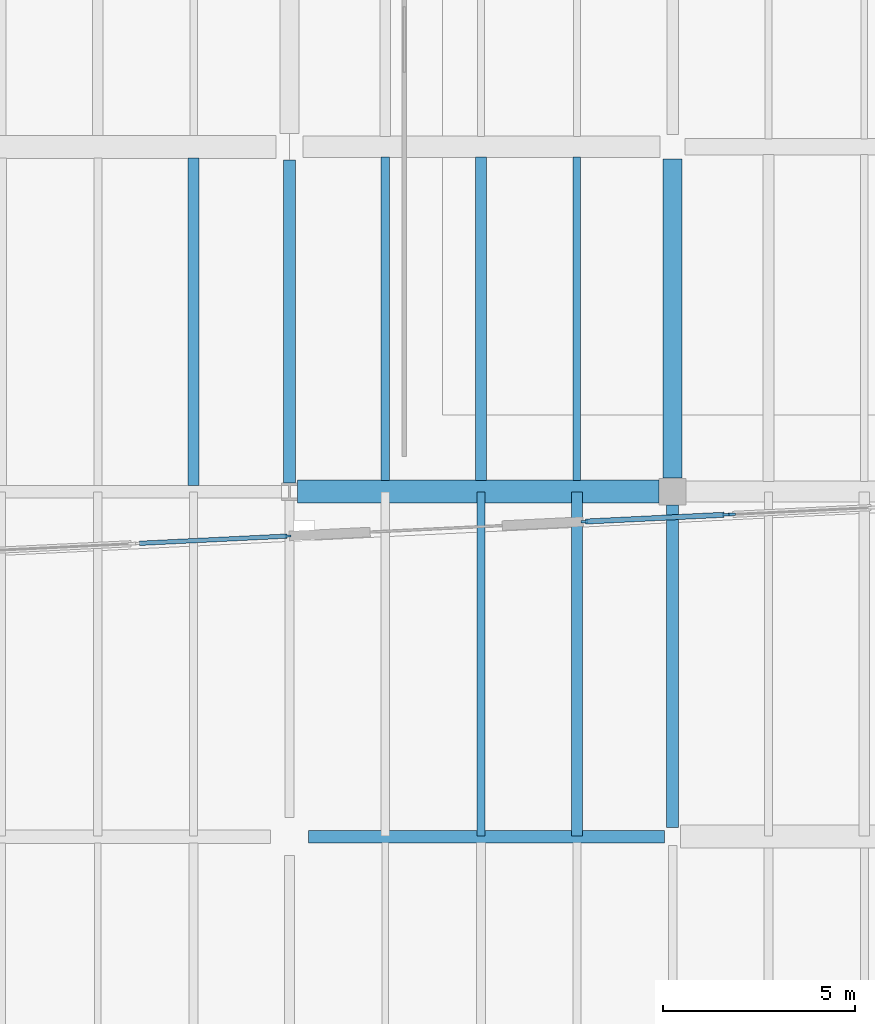
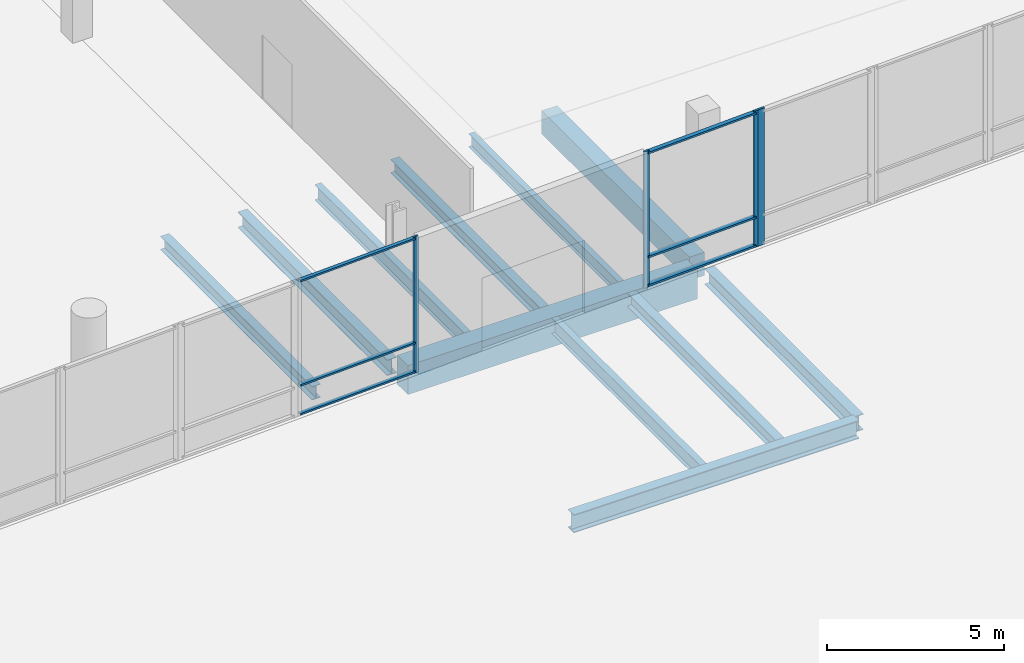
# One storey, part 28 of 88: 11 beams, 10 members, 3 elements without a shape of their own.
"""IFC4 building model written with IfcOpenShell, lengths in metres."""

import ifcopenshell
import ifcopenshell.guid

model = None  # the IFC model being written
_history = None  # IfcOwnerHistory: only IFC2X3 demands one
_inside = {}  # id of a spatial element -> (the spatial element, [elements in it])
_under = {}  # id of a project, library or spatial element -> (it, [spatial elements below it])
_declared = {}  # id of a project -> (the project, [libraries it declares])
_typed = {}  # id of a type object -> (the type object, [elements of that type])
_made_of = {}  # id of a material, layer set ... -> (it, [elements and type objects made of it])


def new_model(schema):
    """Start an empty IFC model of exactly this schema.

    Asked for "IFC4X3", IfcOpenShell would pick the latest addendum, in which some entities
    have other attributes; the version numbers below select the first issue.
    IFC2X3 requires an IfcOwnerHistory on every rooted entity: one is made here for all.
    """
    global model, _history
    if schema == "IFC4X3":
        model = ifcopenshell.file(schema_version=(4, 3, 0, 0))
    else:
        model = ifcopenshell.file(schema=schema)
    _inside.clear()
    _under.clear()
    _declared.clear()
    _typed.clear()
    _made_of.clear()
    _history = None
    if model.schema == "IFC2X3":
        org = make("IfcOrganization", Name="unknown")
        user = make(
            "IfcPersonAndOrganization",
            ThePerson=make("IfcPerson", FamilyName="unknown"),
            TheOrganization=org,
        )
        app = make(
            "IfcApplication",
            ApplicationDeveloper=org,
            Version="unknown",
            ApplicationFullName="unknown",
            ApplicationIdentifier="unknown",
        )
        _history = make(
            "IfcOwnerHistory",
            OwningUser=user,
            OwningApplication=app,
            ChangeAction="ADDED",
            CreationDate=0,
        )
    return model


def make(cls, **values):
    """One entity of the class cls with the attributes given. An attribute that is None is left unset."""
    return model.create_entity(
        cls, **{name: value for name, value in values.items() if value is not None}
    )


def rooted(cls, **values):
    """An entity with a GlobalId (a new one), such as an element, a storey or a relation."""
    return make(cls, GlobalId=ifcopenshell.guid.new(), OwnerHistory=_history, **values)


def si_unit(unit_type, name, prefix=None):
    """IfcSIUnit, for example si_unit("LENGTHUNIT", "METRE", prefix="MILLI")."""
    return make("IfcSIUnit", UnitType=unit_type, Prefix=prefix, Name=name)


def assignment(units):
    """IfcUnitAssignment: the units of a project."""
    return None if units is None else make("IfcUnitAssignment", Units=units)


def point(xyz):
    """IfcCartesianPoint."""
    return None if xyz is None else make("IfcCartesianPoint", Coordinates=xyz)


def direction(xyz):
    """IfcDirection."""
    return None if xyz is None else make("IfcDirection", DirectionRatios=xyz)


def frame(location, z_axis=None, x_axis=None):
    """IfcAxis2Placement3D, a coordinate frame: its origin and axes. An axis left out is left unset."""
    return make(
        "IfcAxis2Placement3D",
        Location=point(location),
        Axis=direction(z_axis),
        RefDirection=direction(x_axis),
    )


def frame_2d(location, x_axis=None):
    """IfcAxis2Placement2D, a coordinate frame in the plane: its origin and x axis."""
    return make(
        "IfcAxis2Placement2D", Location=point(location), RefDirection=direction(x_axis)
    )


def origin():
    """The frame at (0, 0, 0) with its axes left unset."""
    return frame((0.0, 0.0, 0.0))


def origin_2d():
    """The frame at (0, 0) in the plane with its x axis left unset."""
    return frame_2d((0.0, 0.0))


def place(relative_to, where):
    """IfcLocalPlacement: puts the frame where relative to a parent placement (None: the world)."""
    return make(
        "IfcLocalPlacement", PlacementRelTo=relative_to, RelativePlacement=where
    )


def context(
    kind, dimensions, precision=None, world=None, true_north=None, identifier=None
):
    """IfcGeometricRepresentationContext, for example the 3D "Model" context."""
    return make(
        "IfcGeometricRepresentationContext",
        ContextIdentifier=identifier,
        ContextType=kind,
        CoordinateSpaceDimension=dimensions,
        Precision=precision,
        WorldCoordinateSystem=world,
        TrueNorth=true_north,
    )


def subcontext(parent, identifier, kind, view, scale=None):
    """IfcGeometricRepresentationSubContext, for example "Body" below "Model"."""
    return make(
        "IfcGeometricRepresentationSubContext",
        ContextIdentifier=identifier,
        ContextType=kind,
        ParentContext=parent,
        TargetScale=scale,
        TargetView=view,
    )


def project(units=None, contexts=None):
    """IfcProject with its units and contexts."""
    return rooted(
        "IfcProject",
        Name="project",
        RepresentationContexts=contexts,
        UnitsInContext=assignment(units),
    )


def spatial(cls, under=None, at=None, **own):
    """A site, building, storey or space (cls), placed at a placement, below another one or the project."""
    s = rooted(cls, ObjectPlacement=at, **own)
    if under is not None:
        _under.setdefault(under.id(), (under, []))[1].append(s)
    return s


def profile(cls, at=None, kind="AREA", **sizes):
    """A parametric profile (cls). Its sizes go by their IFC names, for example OverallWidth=200.0."""
    return make(cls, ProfileType=kind, Position=at, **sizes)


def rectangle(**sizes):
    """IfcRectangleProfileDef."""
    return profile("IfcRectangleProfileDef", **sizes)


def i_section(**sizes):
    """IfcIShapeProfileDef."""
    return profile("IfcIShapeProfileDef", **sizes)


def extrude(swept, where, along, depth):
    """IfcExtrudedAreaSolid: the profile swept, set in the frame where, extruded along a direction by depth."""
    return make(
        "IfcExtrudedAreaSolid",
        SweptArea=swept,
        Position=where,
        ExtrudedDirection=direction(along),
        Depth=depth,
    )


def shape(context_of_items, identifier, shape_type, items):
    """IfcShapeRepresentation: the items that make up one representation, for example the "Body"."""
    return make(
        "IfcShapeRepresentation",
        ContextOfItems=context_of_items,
        RepresentationIdentifier=identifier,
        RepresentationType=shape_type,
        Items=items,
    )


def material(Name=None, Category=None):
    """IfcMaterial."""
    return make("IfcMaterial", Name=Name, Category=Category)


def material_profile(
    of_material, cross_section, Name=None, Category=None, Priority=None
):
    """IfcMaterialProfile: a cross section and its material."""
    return make(
        "IfcMaterialProfile",
        Name=Name,
        Material=of_material,
        Profile=cross_section,
        Priority=Priority,
        Category=Category,
    )


def profile_set(profiles, Name=None, composite=None):
    """IfcMaterialProfileSet."""
    return make(
        "IfcMaterialProfileSet",
        Name=Name,
        MaterialProfiles=profiles,
        CompositeProfile=composite,
    )


def made_of(thing, what):
    """Note that an element or type object is made of a material, layer set ...; save() writes the relation."""
    if what is not None:
        _made_of.setdefault(what.id(), (what, []))[1].append(thing)
    return thing


def type_object(cls, material=None, **own):
    """A type object (cls), such as IfcWallType, which elements share."""
    return made_of(rooted(cls, **own), material)


def element(
    cls,
    number,
    at=None,
    inside=None,
    cuts=None,
    type_object=None,
    material=None,
    context=None,
    identifier="Body",
    shape_type=None,
    held_by="IfcProductDefinitionShape",
    body=None,
    shapes=None,
    **own,
):
    """One element of the class cls, such as IfcWall. Its Tag is "e" and its number.

    at: its placement. inside: the storey or other place that contains it. cuts: it is an
    opening in that element (IfcRelVoidsElement). A single representation is given by context,
    identifier, shape_type and body (its items); several are given by shapes. held_by: the class
    of the entity that holds the representations. save() writes the other relations.
    """
    e = rooted(cls, Tag="e%d" % number, ObjectPlacement=at, **own)
    if body is not None:
        shapes = [shape(context, identifier, shape_type, body)]
    if shapes is not None:
        e.Representation = make(held_by, Representations=shapes)
    if inside is not None:
        _inside.setdefault(inside.id(), (inside, []))[1].append(e)
    if cuts is not None:
        rooted(
            "IfcRelVoidsElement", RelatingBuildingElement=cuts, RelatedOpeningElement=e
        )
    if type_object is not None:
        _typed.setdefault(type_object.id(), (type_object, []))[1].append(e)
    return made_of(e, material)


def aggregate(whole, parts):
    """IfcRelAggregates: a whole, such as a stair, and the parts it consists of."""
    return rooted("IfcRelAggregates", RelatingObject=whole, RelatedObjects=parts)


def save(model, path):
    """Write the relations noted so far, then the file.

    IfcRelAggregates (storeys below a building ...), IfcRelContainedInSpatialStructure (elements
    in a storey), IfcRelDefinesByType, IfcRelAssociatesMaterial and IfcRelDeclares: one each for
    every whole, place, type object, material and project.
    """
    for whole, parts in _under.values():
        aggregate(whole, parts)
    for where, things in _inside.values():
        rooted(
            "IfcRelContainedInSpatialStructure",
            RelatedElements=things,
            RelatingStructure=where,
        )
    for kind, things in _typed.values():
        rooted("IfcRelDefinesByType", RelatedObjects=things, RelatingType=kind)
    for what, things in _made_of.values():
        rooted("IfcRelAssociatesMaterial", RelatedObjects=things, RelatingMaterial=what)
    for by, libraries in _declared.values():
        rooted("IfcRelDeclares", RelatingContext=by, RelatedDefinitions=libraries)
    model.write(path)


model = new_model("IFC4")

# Units and contexts
model_context = context("Model", 3, precision=1e-05, world=origin(), true_north=direction((0.0, 1.0)))
body_context = subcontext(model_context, "Body", "Model", "MODEL_VIEW")
ifc_project = project(units=[si_unit("LENGTHUNIT", "METRE"), si_unit("AREAUNIT", "SQUARE_METRE"), si_unit("VOLUMEUNIT", "CUBIC_METRE"), si_unit("PLANEANGLEUNIT", "RADIAN"), si_unit("MASSUNIT", "GRAM", prefix="KILO")], contexts=[model_context])

# Site, building, storey
site_placement = place(None, origin())
site = spatial("IfcSite", under=ifc_project, at=site_placement, CompositionType="ELEMENT")
building_placement = place(site_placement, origin())
building = spatial("IfcBuilding", under=site, at=building_placement, Name="Trimount Lyric Opera House", CompositionType="ELEMENT")
storey_placement = place(building_placement, origin())
storey = spatial("IfcBuildingStorey", under=building, at=storey_placement, Name="L00", CompositionType="ELEMENT", Elevation=0.0)

# Beams
ifc_material_1 = material(Name="Steel ASTM A992 Grade 50", Category="steel")
ifc_material_profile_1 = material_profile(ifc_material_1, i_section(OverallWidth=0.327880859375, OverallDepth=0.626953125, WebThickness=0.0166015625, FlangeThickness=0.027587890625, FilletRadius=0.01611328125, at=origin_2d()), Name="W24X146")
ifc_profile_set_1 = profile_set([ifc_material_profile_1], Name="Steel ASTM A992 Grade 50")
beam_type_1 = type_object("IfcBeamType", Name="B-10", PredefinedType="BEAM", material=ifc_profile_set_1)
beam_1_placement = place(storey_placement, frame((84.5, 17.0, -0.553466796875), z_axis=(1.0, 0.0, 0.0), x_axis=(0.0, 1.0, 0.0)))
element("IfcBeam", 1, at=beam_1_placement, inside=storey, type_object=beam_type_1, Name="L00 girder X-0044", PredefinedType="BEAM", context=body_context, shape_type="SweptSolid", body=[
    extrude(i_section(OverallWidth=0.327880859375, OverallDepth=0.626953125, WebThickness=0.0166015625, FlangeThickness=0.027587890625, FilletRadius=0.01611328125, at=origin_2d()), origin(), (0.0, 0.0, 1.0), 9.2890625),
])
ifc_material_2 = material(Name="Steel ASTM A992 Grade 50", Category="steel")
ifc_material_profile_2 = material_profile(ifc_material_2, i_section(OverallWidth=0.31201171875, OverallDepth=0.5458984375, WebThickness=0.013916015625, FlangeThickness=0.022216796875, FilletRadius=0.014892578125, at=origin_2d()), Name="W21X111")
ifc_profile_set_2 = profile_set([ifc_material_profile_2], Name="Steel ASTM A992 Grade 50")
beam_type_2 = type_object("IfcBeamType", Name="B-12", PredefinedType="BEAM", material=ifc_profile_set_2)
for number, where, z_axis, x_axis, name in (
    (2, (84.0, 26.232421875, -0.653076171875), (0.0, 1.0, 0.0), (-1.0, 0.0, 0.0), "L00 girder Y-0336"),
    (3, (94.0, 17.232421875, -0.653076171875), (0.0, 1.0, 0.0), (-1.0, 0.0, 0.0), "L00 girder Y-0347"),
):
    element("IfcBeam", number, at=place(storey_placement, frame(where, z_axis=z_axis, x_axis=x_axis)), inside=storey, type_object=beam_type_2, Name=name, PredefinedType="BEAM", context=body_context, shape_type="SweptSolid", body=[
        extrude(i_section(OverallWidth=0.31201171875, OverallDepth=0.5458984375, WebThickness=0.013916015625, FlangeThickness=0.022216796875, FilletRadius=0.014892578125, at=origin_2d()), origin(), (0.0, 0.0, 1.0), 8.41748046875),
    ])
ifc_material_3 = material(Name="Concrete C40/50", Category="concrete")
ifc_material_profile_3 = material_profile(ifc_material_3, rectangle(XDim=0.60009765625, YDim=1.0, at=origin_2d()), Name="RC600X1000")
ifc_profile_set_3 = profile_set([ifc_material_profile_3], Name="Concrete C40/50")
beam_type_3 = type_object("IfcBeamType", Name="B-13", PredefinedType="BEAM", material=ifc_profile_set_3)
beam_2_placement = place(storey_placement, frame((84.2109375, 26.0, -0.8798828125), z_axis=(1.0, 0.0, 0.0), x_axis=(0.0, 1.0, 0.0)))
element("IfcBeam", 4, at=beam_2_placement, inside=storey, type_object=beam_type_3, Name="L00 girder X-0059", PredefinedType="BEAM", context=body_context, shape_type="SweptSolid", body=[
    extrude(rectangle(XDim=0.60009765625, YDim=1.0, at=origin_2d()), origin(), (0.0, 0.0, 1.0), 9.43896484375),
])
ifc_material_4 = material(Name="Concrete C40/50", Category="concrete")
ifc_material_profile_4 = material_profile(ifc_material_4, rectangle(XDim=0.5, YDim=0.800048828125, at=origin_2d()), Name="RC500X800")
ifc_profile_set_4 = profile_set([ifc_material_profile_4], Name="Concrete C40/50")
beam_type_4 = type_object("IfcBeamType", Name="B-15", PredefinedType="BEAM", material=ifc_profile_set_4)
beam_3_placement = place(storey_placement, frame((94.0, 26.35009765625, -0.780029296875), z_axis=(0.0, 1.0, 0.0), x_axis=(-1.0, 0.0, 0.0)))
element("IfcBeam", 5, at=beam_3_placement, inside=storey, type_object=beam_type_4, Name="L00 girder Y-0348", PredefinedType="BEAM", context=body_context, shape_type="SweptSolid", body=[
    extrude(rectangle(XDim=0.5, YDim=0.800048828125, at=origin_2d()), origin(), (0.0, 0.0, 1.0), 8.324951171875),
])
ifc_material_5 = material(Name="Steel ASTM A992 Grade 50", Category="steel")
ifc_material_profile_5 = material_profile(ifc_material_5, i_section(OverallWidth=0.2099609375, OverallDepth=0.532958984375, WebThickness=0.01025390625, FlangeThickness=0.015625, FilletRadius=0.012939453125, at=origin_2d()), Name="W21X62")
ifc_profile_set_5 = profile_set([ifc_material_profile_5], Name="Steel ASTM A992 Grade 50")
beam_type_5 = type_object("IfcBeamType", Name="J-02", PredefinedType="BEAM", material=ifc_profile_set_5)
beam_4_placement = place(storey_placement, frame((89.0, 17.011962890625, -0.646484375), z_axis=(0.0, 1.0, 0.0), x_axis=(-1.0, 0.0, 0.0)))
element("IfcBeam", 6, at=beam_4_placement, inside=storey, type_object=beam_type_5, Name="L00 composite floor joist 0249", PredefinedType="BEAM", context=body_context, shape_type="SweptSolid", body=[
    extrude(i_section(OverallWidth=0.2099609375, OverallDepth=0.532958984375, WebThickness=0.01025390625, FlangeThickness=0.015625, FilletRadius=0.012939453125, at=origin_2d()), origin(), (0.0, 0.0, 1.0), 8.97607421875),
])
beam_5_placement = place(storey_placement, frame((86.5, 26.2958984375, -0.646484375), z_axis=(0.0, 1.0, 0.0), x_axis=(-1.0, 0.0, 0.0)))
element("IfcBeam", 7, at=beam_5_placement, inside=storey, type_object=beam_type_5, Name="L00 composite floor joist 0251", PredefinedType="BEAM", context=body_context, shape_type="SweptSolid", body=[
    extrude(i_section(OverallWidth=0.2099609375, OverallDepth=0.532958984375, WebThickness=0.01025390625, FlangeThickness=0.015625, FilletRadius=0.012939453125, at=origin_2d()), origin(), (0.0, 0.0, 1.0), 8.43310546875),
])
ifc_material_6 = material(Name="Steel ASTM A992 Grade 50", Category="steel")
ifc_material_profile_6 = material_profile(ifc_material_6, i_section(OverallWidth=0.281982421875, OverallDepth=0.467041015625, WebThickness=0.01220703125, FlangeThickness=0.01953125, FilletRadius=0.012939453125, at=origin_2d()), Name="W18X86")
ifc_profile_set_6 = profile_set([ifc_material_profile_6], Name="Steel ASTM A992 Grade 50")
beam_type_6 = type_object("IfcBeamType", Name="J-03", PredefinedType="BEAM", material=ifc_profile_set_6)
beam_6_placement = place(storey_placement, frame((81.5, 26.159912109375, -0.613525390625), z_axis=(0.0, 1.0, 0.0), x_axis=(-1.0, 0.0, 0.0)))
element("IfcBeam", 8, at=beam_6_placement, inside=storey, type_object=beam_type_6, Name="L00 composite floor joist 0225", PredefinedType="BEAM", context=body_context, shape_type="SweptSolid", body=[
    extrude(i_section(OverallWidth=0.281982421875, OverallDepth=0.467041015625, WebThickness=0.01220703125, FlangeThickness=0.01953125, FilletRadius=0.012939453125, at=origin_2d()), origin(), (0.0, 0.0, 1.0), 8.544189453125),
])
beam_7_placement = place(storey_placement, frame((91.5, 17.011962890625, -0.613525390625), z_axis=(0.0, 1.0, 0.0), x_axis=(-1.0, 0.0, 0.0)))
element("IfcBeam", 9, at=beam_7_placement, inside=storey, type_object=beam_type_6, Name="L00 composite floor joist 0250", PredefinedType="BEAM", context=body_context, shape_type="SweptSolid", body=[
    extrude(i_section(OverallWidth=0.281982421875, OverallDepth=0.467041015625, WebThickness=0.01220703125, FlangeThickness=0.01953125, FilletRadius=0.012939453125, at=origin_2d()), origin(), (0.0, 0.0, 1.0), 8.97607421875),
])
beam_8_placement = place(storey_placement, frame((89.0, 26.2958984375, -0.613525390625), z_axis=(0.0, 1.0, 0.0), x_axis=(-1.0, 0.0, 0.0)))
element("IfcBeam", 10, at=beam_8_placement, inside=storey, type_object=beam_type_6, Name="L00 composite floor joist 0252", PredefinedType="BEAM", context=body_context, shape_type="SweptSolid", body=[
    extrude(i_section(OverallWidth=0.281982421875, OverallDepth=0.467041015625, WebThickness=0.01220703125, FlangeThickness=0.01953125, FilletRadius=0.012939453125, at=origin_2d()), origin(), (0.0, 0.0, 1.0), 8.43310546875),
])
ifc_material_7 = material(Name="Steel ASTM A992 Grade 50", Category="steel")
ifc_material_profile_7 = material_profile(ifc_material_7, i_section(OverallWidth=0.19091796875, OverallDepth=0.45703125, WebThickness=0.009033203125, FlangeThickness=0.014404296875, FilletRadius=0.010986328125, at=origin_2d()), Name="W18X50")
ifc_profile_set_7 = profile_set([ifc_material_profile_7], Name="Steel ASTM A992 Grade 50")
beam_type_7 = type_object("IfcBeamType", Name="J-04", PredefinedType="BEAM", material=ifc_profile_set_7)
beam_9_placement = place(storey_placement, frame((91.5, 26.2958984375, -0.6083984375), z_axis=(0.0, 1.0, 0.0), x_axis=(-1.0, 0.0, 0.0)))
element("IfcBeam", 11, at=beam_9_placement, inside=storey, type_object=beam_type_7, Name="L00 composite floor joist 0253", PredefinedType="BEAM", context=body_context, shape_type="SweptSolid", body=[
    extrude(i_section(OverallWidth=0.19091796875, OverallDepth=0.45703125, WebThickness=0.009033203125, FlangeThickness=0.014404296875, FilletRadius=0.010986328125, at=origin_2d()), origin(), (0.0, 0.0, 1.0), 8.43310546875),
])

# Curtain wall, member
ifc_material_8 = material(Name="Thermally Broken Aluminium and Low-E Glass", Category="aluminium")
curtain_wall_type = type_object("IfcCurtainWallType", Name="CW-01", PredefinedType="NOTDEFINED", material=ifc_material_8)
curtain_wall_1_placement = place(storey_placement, origin())
curtain_wall_1 = element("IfcCurtainWall", 12, at=curtain_wall_1_placement, inside=storey, type_object=curtain_wall_type, Name="L00 curtain wall 018", PredefinedType="NOTDEFINED")
ifc_material_9 = material(Name="Anodised Aluminium 6063-T6", Category="aluminium")
ifc_material_profile_8 = material_profile(ifc_material_9, rectangle(XDim=0.070068359375, YDim=0.219970703125, at=origin_2d()), Name="ALU-MULL-70X220")
ifc_profile_set_8 = profile_set([ifc_material_profile_8], Name="Anodised Aluminium 6063-T6")
member_type_1 = type_object("IfcMemberType", Name="ML-01", PredefinedType="MULLION", material=ifc_profile_set_8)
member_1_placement = place(storey_placement, frame((95.532958984375, 25.40576171875, 0.0), z_axis=(0.0, 0.0, 1.0), x_axis=(0.048806917619, -0.998808232241, 0.0)))
member_1 = element("IfcMember", 13, at=member_1_placement, type_object=member_type_1, Name="CW-01 mullion 2", PredefinedType="MULLION", context=body_context, shape_type="SweptSolid", body=[
    extrude(rectangle(XDim=0.070068359375, YDim=0.219970703125, at=origin_2d()), origin(), (0.0, 0.0, 1.0), 4.699951171875),
])
aggregate(curtain_wall_1, [member_1])

# Curtain wall, members
curtain_wall_2_placement = place(storey_placement, origin())
curtain_wall_2 = element("IfcCurtainWall", 14, at=curtain_wall_2_placement, inside=storey, type_object=curtain_wall_type, Name="L00 curtain wall 019", PredefinedType="NOTDEFINED")
ifc_material_10 = material(Name="Anodised Aluminium 6063-T6", Category="aluminium")
ifc_material_profile_9 = material_profile(ifc_material_10, rectangle(XDim=0.06494140625, YDim=0.179931640625, at=origin_2d()), Name="ALU-MULL-65X180")
ifc_profile_set_9 = profile_set([ifc_material_profile_9], Name="Anodised Aluminium 6063-T6")
member_type_2 = type_object("IfcMemberType", Name="ML-02", PredefinedType="MULLION", material=ifc_profile_set_9)
member_2_placement = place(storey_placement, frame((95.37548828125, 25.3984375, 0.0), z_axis=(0.0, 0.0, 1.0), x_axis=(0.048806917619, -0.998808232241, 0.0)))
member_2 = element("IfcMember", 15, at=member_2_placement, type_object=member_type_2, Name="CW-01 mullion 1", PredefinedType="MULLION", context=body_context, shape_type="SweptSolid", body=[
    extrude(rectangle(XDim=0.06494140625, YDim=0.179931640625, at=origin_2d()), origin(), (0.0, 0.0, 1.0), 4.699951171875),
])
member_3_placement = place(storey_placement, frame((91.695556640625, 25.218505859375, 0.0), z_axis=(0.0, 0.0, 1.0), x_axis=(0.048806917619, -0.998808232241, 0.0)))
member_3 = element("IfcMember", 16, at=member_3_placement, type_object=member_type_2, Name="CW-01 mullion 2", PredefinedType="MULLION", context=body_context, shape_type="SweptSolid", body=[
    extrude(rectangle(XDim=0.06494140625, YDim=0.179931640625, at=origin_2d()), origin(), (0.0, 0.0, 1.0), 4.699951171875),
])

# Curtain wall, member
curtain_wall_3_placement = place(storey_placement, origin())
curtain_wall_3 = element("IfcCurtainWall", 17, at=curtain_wall_3_placement, inside=storey, type_object=curtain_wall_type, Name="L00 curtain wall 020", PredefinedType="NOTDEFINED")
ifc_material_11 = material(Name="Anodised Aluminium 6063-T6", Category="aluminium")
ifc_material_profile_10 = material_profile(ifc_material_11, rectangle(XDim=0.06005859375, YDim=0.14990234375, at=origin_2d()), Name="ALU-MULL-60X150")
ifc_profile_set_10 = profile_set([ifc_material_profile_10], Name="Anodised Aluminium 6063-T6")
member_type_3 = type_object("IfcMemberType", Name="ML-03", PredefinedType="MULLION", material=ifc_profile_set_10)
member_4_placement = place(storey_placement, frame((83.963134765625, 24.841552734375, 0.0), z_axis=(0.0, 0.0, 1.0), x_axis=(0.048832800304, -0.998806967144, 0.0)))
member_4 = element("IfcMember", 18, at=member_4_placement, type_object=member_type_3, Name="CW-01 mullion 1", PredefinedType="MULLION", context=body_context, shape_type="SweptSolid", body=[
    extrude(rectangle(XDim=0.06005859375, YDim=0.14990234375, at=origin_2d()), origin(), (0.0, 0.0, 1.0), 4.699951171875),
])

# Member
ifc_material_12 = material(Name="Anodised Aluminium 6063-T6", Category="aluminium")
ifc_material_profile_11 = material_profile(ifc_material_12, rectangle(XDim=0.135009765625, YDim=0.06494140625, at=origin_2d()), Name="ALU-TRAN-65X135")
ifc_profile_set_11 = profile_set([ifc_material_profile_11], Name="Anodised Aluminium 6063-T6")
member_type_4 = type_object("IfcMemberType", Name="TR-02", PredefinedType="USERDEFINED", material=ifc_profile_set_11)
member_5_placement = place(storey_placement, frame((95.343017578125, 25.396728515625, 0.0673828125), z_axis=(-0.998810028089, -0.048770152651, 0.0), x_axis=(0.048770152651, -0.998810028089, 0.0)))
member_5 = element("IfcMember", 19, at=member_5_placement, type_object=member_type_4, Name="CW-01 transom 1.1", ObjectType="TRANSOM", PredefinedType="USERDEFINED", context=body_context, shape_type="SweptSolid", body=[
    extrude(rectangle(XDim=0.135009765625, YDim=0.06494140625, at=origin_2d()), origin(), (0.0, 0.0, 1.0), 3.619384765625),
])

member_6_placement = place(storey_placement, frame((95.343017578125, 25.396728515625, 1.050048828125), z_axis=(-0.998810028089, -0.048770152651, 0.0), x_axis=(0.048770152651, -0.998810028089, 0.0)))
member_6 = element("IfcMember", 20, at=member_6_placement, type_object=member_type_4, Name="CW-01 transom 1.2", ObjectType="TRANSOM", PredefinedType="USERDEFINED", context=body_context, shape_type="SweptSolid", body=[
    extrude(rectangle(XDim=0.135009765625, YDim=0.06494140625, at=origin_2d()), origin(), (0.0, 0.0, 1.0), 3.619384765625),
])

member_7_placement = place(storey_placement, frame((95.343017578125, 25.396728515625, 4.632568359375), z_axis=(-0.998810028089, -0.048770152651, 0.0), x_axis=(0.048770152651, -0.998810028089, 0.0)))
member_7 = element("IfcMember", 21, at=member_7_placement, type_object=member_type_4, Name="CW-01 transom 1.3", ObjectType="TRANSOM", PredefinedType="USERDEFINED", context=body_context, shape_type="SweptSolid", body=[
    extrude(rectangle(XDim=0.135009765625, YDim=0.06494140625, at=origin_2d()), origin(), (0.0, 0.0, 1.0), 3.619384765625),
])

aggregate(curtain_wall_2, [member_2, member_3, member_5, member_6, member_7])

ifc_material_13 = material(Name="Anodised Aluminium 6063-T6", Category="aluminium")
ifc_material_profile_12 = material_profile(ifc_material_13, rectangle(XDim=0.114990234375, YDim=0.06005859375, at=origin_2d()), Name="ALU-TRAN-60X115")
ifc_profile_set_12 = profile_set([ifc_material_profile_12], Name="Anodised Aluminium 6063-T6")
member_type_5 = type_object("IfcMemberType", Name="TR-03", PredefinedType="USERDEFINED", material=ifc_profile_set_12)
member_8_placement = place(storey_placement, frame((83.93310546875, 24.840087890625, 0.0576171875), z_axis=(-0.998805798482, -0.048856697794, 0.0), x_axis=(0.048856697794, -0.998805798482, 0.0)))
member_8 = element("IfcMember", 22, at=member_8_placement, type_object=member_type_5, Name="CW-01 transom 1.1", ObjectType="TRANSOM", PredefinedType="USERDEFINED", context=body_context, shape_type="SweptSolid", body=[
    extrude(rectangle(XDim=0.114990234375, YDim=0.06005859375, at=origin_2d()), origin(), (0.0, 0.0, 1.0), 3.852783203125),
])

member_9_placement = place(storey_placement, frame((83.93310546875, 24.840087890625, 1.050048828125), z_axis=(-0.998805798482, -0.048856697794, 0.0), x_axis=(0.048856697794, -0.998805798482, 0.0)))
member_9 = element("IfcMember", 23, at=member_9_placement, type_object=member_type_5, Name="CW-01 transom 1.2", ObjectType="TRANSOM", PredefinedType="USERDEFINED", context=body_context, shape_type="SweptSolid", body=[
    extrude(rectangle(XDim=0.114990234375, YDim=0.06005859375, at=origin_2d()), origin(), (0.0, 0.0, 1.0), 3.852783203125),
])

member_10_placement = place(storey_placement, frame((83.93310546875, 24.840087890625, 4.642578125), z_axis=(-0.998805798482, -0.048856697794, 0.0), x_axis=(0.048856697794, -0.998805798482, 0.0)))
member_10 = element("IfcMember", 24, at=member_10_placement, type_object=member_type_5, Name="CW-01 transom 1.3", ObjectType="TRANSOM", PredefinedType="USERDEFINED", context=body_context, shape_type="SweptSolid", body=[
    extrude(rectangle(XDim=0.114990234375, YDim=0.06005859375, at=origin_2d()), origin(), (0.0, 0.0, 1.0), 3.852783203125),
])

aggregate(curtain_wall_3, [member_4, member_8, member_9, member_10])

save(model, "model.ifc")
